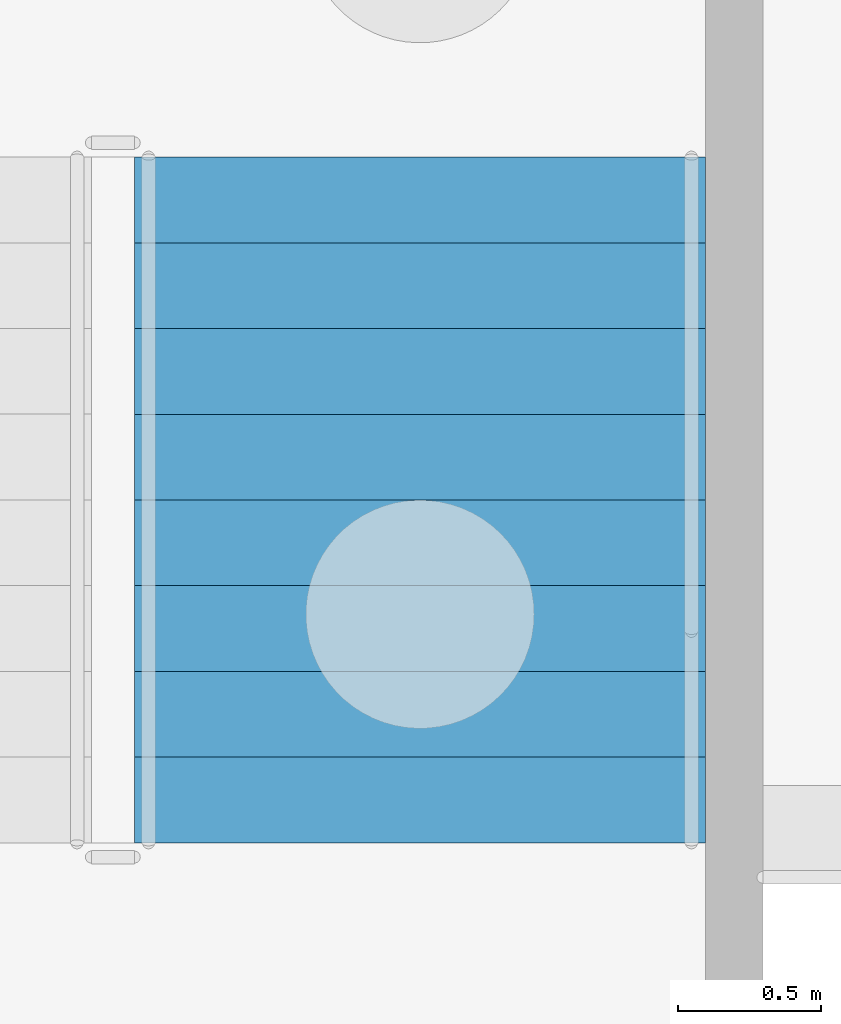
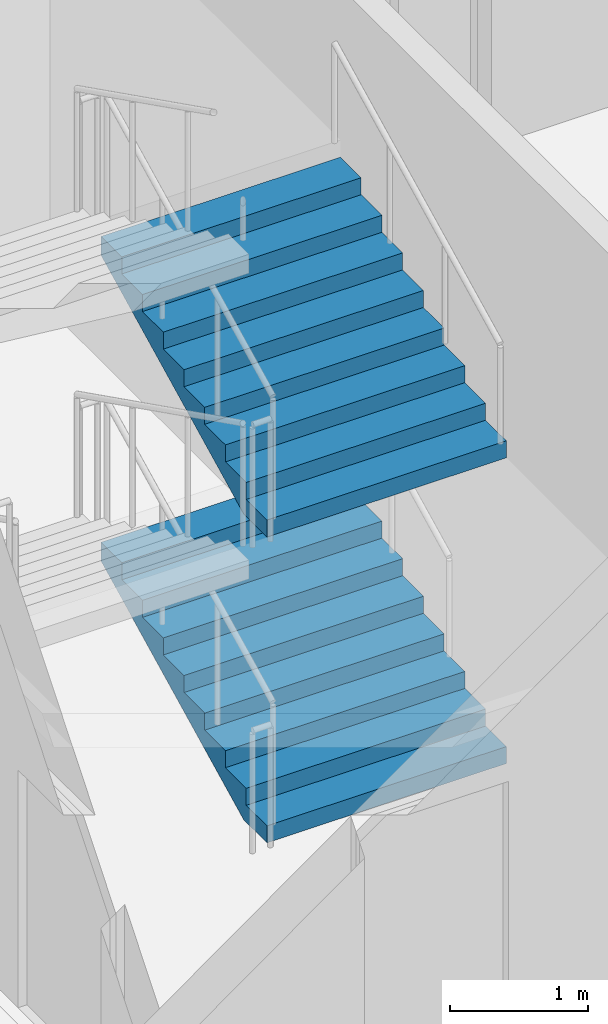
# One storey, part 71 of 129: 2 stair flights, 1 element without a shape of its own.
"""IFC4 building model written with IfcOpenShell, lengths in metres."""

import ifcopenshell
import ifcopenshell.guid

model = None  # the IFC model being written
_history = None  # IfcOwnerHistory: only IFC2X3 demands one
_inside = {}  # id of a spatial element -> (the spatial element, [elements in it])
_under = {}  # id of a project, library or spatial element -> (it, [spatial elements below it])
_declared = {}  # id of a project -> (the project, [libraries it declares])
_typed = {}  # id of a type object -> (the type object, [elements of that type])
_made_of = {}  # id of a material, layer set ... -> (it, [elements and type objects made of it])


def new_model(schema):
    """Start an empty IFC model of exactly this schema.

    Asked for "IFC4X3", IfcOpenShell would pick the latest addendum, in which some entities
    have other attributes; the version numbers below select the first issue.
    IFC2X3 requires an IfcOwnerHistory on every rooted entity: one is made here for all.
    """
    global model, _history
    if schema == "IFC4X3":
        model = ifcopenshell.file(schema_version=(4, 3, 0, 0))
    else:
        model = ifcopenshell.file(schema=schema)
    _inside.clear()
    _under.clear()
    _declared.clear()
    _typed.clear()
    _made_of.clear()
    _history = None
    if model.schema == "IFC2X3":
        org = make("IfcOrganization", Name="unknown")
        user = make(
            "IfcPersonAndOrganization",
            ThePerson=make("IfcPerson", FamilyName="unknown"),
            TheOrganization=org,
        )
        app = make(
            "IfcApplication",
            ApplicationDeveloper=org,
            Version="unknown",
            ApplicationFullName="unknown",
            ApplicationIdentifier="unknown",
        )
        _history = make(
            "IfcOwnerHistory",
            OwningUser=user,
            OwningApplication=app,
            ChangeAction="ADDED",
            CreationDate=0,
        )
    return model


def make(cls, **values):
    """One entity of the class cls with the attributes given. An attribute that is None is left unset."""
    return model.create_entity(
        cls, **{name: value for name, value in values.items() if value is not None}
    )


def rooted(cls, **values):
    """An entity with a GlobalId (a new one), such as an element, a storey or a relation."""
    return make(cls, GlobalId=ifcopenshell.guid.new(), OwnerHistory=_history, **values)


def si_unit(unit_type, name, prefix=None):
    """IfcSIUnit, for example si_unit("LENGTHUNIT", "METRE", prefix="MILLI")."""
    return make("IfcSIUnit", UnitType=unit_type, Prefix=prefix, Name=name)


def assignment(units):
    """IfcUnitAssignment: the units of a project."""
    return None if units is None else make("IfcUnitAssignment", Units=units)


def point(xyz):
    """IfcCartesianPoint."""
    return None if xyz is None else make("IfcCartesianPoint", Coordinates=xyz)


def direction(xyz):
    """IfcDirection."""
    return None if xyz is None else make("IfcDirection", DirectionRatios=xyz)


def frame(location, z_axis=None, x_axis=None):
    """IfcAxis2Placement3D, a coordinate frame: its origin and axes. An axis left out is left unset."""
    return make(
        "IfcAxis2Placement3D",
        Location=point(location),
        Axis=direction(z_axis),
        RefDirection=direction(x_axis),
    )


def origin():
    """The frame at (0, 0, 0) with its axes left unset."""
    return frame((0.0, 0.0, 0.0))


def place(relative_to, where):
    """IfcLocalPlacement: puts the frame where relative to a parent placement (None: the world)."""
    return make(
        "IfcLocalPlacement", PlacementRelTo=relative_to, RelativePlacement=where
    )


def context(
    kind, dimensions, precision=None, world=None, true_north=None, identifier=None
):
    """IfcGeometricRepresentationContext, for example the 3D "Model" context."""
    return make(
        "IfcGeometricRepresentationContext",
        ContextIdentifier=identifier,
        ContextType=kind,
        CoordinateSpaceDimension=dimensions,
        Precision=precision,
        WorldCoordinateSystem=world,
        TrueNorth=true_north,
    )


def subcontext(parent, identifier, kind, view, scale=None):
    """IfcGeometricRepresentationSubContext, for example "Body" below "Model"."""
    return make(
        "IfcGeometricRepresentationSubContext",
        ContextIdentifier=identifier,
        ContextType=kind,
        ParentContext=parent,
        TargetScale=scale,
        TargetView=view,
    )


def project(units=None, contexts=None):
    """IfcProject with its units and contexts."""
    return rooted(
        "IfcProject",
        Name="project",
        RepresentationContexts=contexts,
        UnitsInContext=assignment(units),
    )


def spatial(cls, under=None, at=None, **own):
    """A site, building, storey or space (cls), placed at a placement, below another one or the project."""
    s = rooted(cls, ObjectPlacement=at, **own)
    if under is not None:
        _under.setdefault(under.id(), (under, []))[1].append(s)
    return s


def faces_of(points, faces, orient=None, outer=None):
    """IfcFace entities. A face is a list of loops; a loop is a list of indices into points, from 0.

    orient and outer hold one flag for each loop. By default every Orientation is true, the
    first loop of a face is its IfcFaceOuterBound and the others are IfcFaceBound.
    """
    made = []
    for i, loops in enumerate(faces):
        bounds = []
        for j, loop in enumerate(loops):
            is_outer = j == 0 if outer is None else outer[i][j]
            bounds.append(
                make(
                    "IfcFaceOuterBound" if is_outer else "IfcFaceBound",
                    Bound=make("IfcPolyLoop", Polygon=[points[k] for k in loop]),
                    Orientation=True if orient is None else orient[i][j],
                )
            )
        made.append(make("IfcFace", Bounds=bounds))
    return made


def faceted_brep(points, faces, orient=None, outer=None, voids=None):
    """IfcFacetedBrep: a solid bounded by flat faces; with voids (closed shells), ...WithVoids."""
    shared = [point(p) for p in points]
    hull = make("IfcClosedShell", CfsFaces=faces_of(shared, faces, orient, outer))
    if voids is None:
        return make("IfcFacetedBrep", Outer=hull)
    return make(
        "IfcFacetedBrepWithVoids",
        Outer=hull,
        Voids=[
            make(cls, CfsFaces=faces_of(shared, fs, o, b)) for cls, fs, o, b in voids
        ],
    )


def shape(context_of_items, identifier, shape_type, items):
    """IfcShapeRepresentation: the items that make up one representation, for example the "Body"."""
    return make(
        "IfcShapeRepresentation",
        ContextOfItems=context_of_items,
        RepresentationIdentifier=identifier,
        RepresentationType=shape_type,
        Items=items,
    )


def material(Name=None, Category=None):
    """IfcMaterial."""
    return make("IfcMaterial", Name=Name, Category=Category)


def made_of(thing, what):
    """Note that an element or type object is made of a material, layer set ...; save() writes the relation."""
    if what is not None:
        _made_of.setdefault(what.id(), (what, []))[1].append(thing)
    return thing


def type_object(cls, material=None, **own):
    """A type object (cls), such as IfcWallType, which elements share."""
    return made_of(rooted(cls, **own), material)


def element(
    cls,
    number,
    at=None,
    inside=None,
    cuts=None,
    type_object=None,
    material=None,
    context=None,
    identifier="Body",
    shape_type=None,
    held_by="IfcProductDefinitionShape",
    body=None,
    shapes=None,
    **own,
):
    """One element of the class cls, such as IfcWall. Its Tag is "e" and its number.

    at: its placement. inside: the storey or other place that contains it. cuts: it is an
    opening in that element (IfcRelVoidsElement). A single representation is given by context,
    identifier, shape_type and body (its items); several are given by shapes. held_by: the class
    of the entity that holds the representations. save() writes the other relations.
    """
    e = rooted(cls, Tag="e%d" % number, ObjectPlacement=at, **own)
    if body is not None:
        shapes = [shape(context, identifier, shape_type, body)]
    if shapes is not None:
        e.Representation = make(held_by, Representations=shapes)
    if inside is not None:
        _inside.setdefault(inside.id(), (inside, []))[1].append(e)
    if cuts is not None:
        rooted(
            "IfcRelVoidsElement", RelatingBuildingElement=cuts, RelatedOpeningElement=e
        )
    if type_object is not None:
        _typed.setdefault(type_object.id(), (type_object, []))[1].append(e)
    return made_of(e, material)


def aggregate(whole, parts):
    """IfcRelAggregates: a whole, such as a stair, and the parts it consists of."""
    return rooted("IfcRelAggregates", RelatingObject=whole, RelatedObjects=parts)


def save(model, path):
    """Write the relations noted so far, then the file.

    IfcRelAggregates (storeys below a building ...), IfcRelContainedInSpatialStructure (elements
    in a storey), IfcRelDefinesByType, IfcRelAssociatesMaterial and IfcRelDeclares: one each for
    every whole, place, type object, material and project.
    """
    for whole, parts in _under.values():
        aggregate(whole, parts)
    for where, things in _inside.values():
        rooted(
            "IfcRelContainedInSpatialStructure",
            RelatedElements=things,
            RelatingStructure=where,
        )
    for kind, things in _typed.values():
        rooted("IfcRelDefinesByType", RelatedObjects=things, RelatingType=kind)
    for what, things in _made_of.values():
        rooted("IfcRelAssociatesMaterial", RelatedObjects=things, RelatingMaterial=what)
    for by, libraries in _declared.values():
        rooted("IfcRelDeclares", RelatingContext=by, RelatedDefinitions=libraries)
    model.write(path)


model = new_model("IFC4")

# Units and contexts
model_context = context("Model", 3, precision=1e-05, world=origin(), true_north=direction((0.0, 1.0)))
body_context = subcontext(model_context, "Body", "Model", "MODEL_VIEW")
ifc_project = project(units=[si_unit("LENGTHUNIT", "METRE"), si_unit("AREAUNIT", "SQUARE_METRE"), si_unit("VOLUMEUNIT", "CUBIC_METRE"), si_unit("PLANEANGLEUNIT", "RADIAN"), si_unit("MASSUNIT", "GRAM", prefix="KILO")], contexts=[model_context])

# Site, building, storey
site_placement = place(None, origin())
site = spatial("IfcSite", under=ifc_project, at=site_placement, CompositionType="ELEMENT")
building_placement = place(site_placement, origin())
building = spatial("IfcBuilding", under=site, at=building_placement, Name="Kiln Court Media Centre", CompositionType="ELEMENT")
storey_placement = place(building_placement, origin())
storey = spatial("IfcBuildingStorey", under=building, at=storey_placement, Name="L00", CompositionType="ELEMENT", Elevation=0.0)

# Stair, stair flights
ifc_material_1 = material(Name="Concrete C40/50", Category="concrete")
stair_type = type_object("IfcStairType", Name="Concrete C40/50 dog-leg stair 2000 wide, 150 riser", PredefinedType="HALF_TURN_STAIR", material=ifc_material_1)
stair_placement = place(storey_placement, origin())
stair = element("IfcStair", 1, at=stair_placement, inside=storey, type_object=stair_type, Name="ST-05 L00", PredefinedType="HALF_TURN_STAIR")
ifc_material_2 = material(Name="Concrete C40/50", Category="concrete")
stair_flight_type = type_object("IfcStairFlightType", Name="Concrete C40/50 stair flight 2000 wide, 150 riser, 300 going", PredefinedType="STRAIGHT", material=ifc_material_2)
stair_flight_1_placement = place(storey_placement, frame((57.60009765625, 18.39990234375, 0.0), z_axis=(0.0, 0.0, 1.0), x_axis=(0.0, 1.0, 0.0)))
stair_flight_1 = element("IfcStairFlight", 2, at=stair_flight_1_placement, type_object=stair_flight_type, Name="L00-ST-5004 flight 5016", NumberOfRisers=9, NumberOfTreads=8, PredefinedType="STRAIGHT", RiserHeight=0.15, TreadLength=0.3, context=body_context, shape_type="Brep", body=[
    faceted_brep([(0.335205078125, -1.0, 0.0), (2.39990234375, -1.0, 1.032470703125), (2.39990234375, -1.0, 1.199951171875), (2.10009765625, -1.0, 1.199951171875), (2.10009765625, -1.0, 1.050048828125), (1.800048828125, -1.0, 1.050048828125), (1.800048828125, -1.0, 0.89990234375), (1.5, -1.0, 0.89990234375), (1.5, -1.0, 0.75), (1.199951171875, -1.0, 0.75), (1.199951171875, -1.0, 0.60009765625), (0.89990234375, -1.0, 0.60009765625), (0.89990234375, -1.0, 0.449951171875), (0.60009765625, -1.0, 0.449951171875), (0.60009765625, -1.0, 0.300048828125), (0.300048828125, -1.0, 0.300048828125), (0.300048828125, -1.0, 0.14990234375), (0.0, -1.0, 0.14990234375), (0.0, -1.0, 0.0), (0.0, 1.0, 0.0), (0.0, 1.0, 0.14990234375), (0.300048828125, 1.0, 0.14990234375), (0.300048828125, 1.0, 0.300048828125), (0.60009765625, 1.0, 0.300048828125), (0.60009765625, 1.0, 0.449951171875), (0.89990234375, 1.0, 0.449951171875), (0.89990234375, 1.0, 0.60009765625), (1.199951171875, 1.0, 0.60009765625), (1.199951171875, 1.0, 0.75), (1.5, 1.0, 0.75), (1.5, 1.0, 0.89990234375), (1.800048828125, 1.0, 0.89990234375), (1.800048828125, 1.0, 1.050048828125), (2.10009765625, 1.0, 1.050048828125), (2.10009765625, 1.0, 1.199951171875), (2.39990234375, 1.0, 1.199951171875), (2.39990234375, 1.0, 1.032470703125), (0.335205078125, 1.0, 0.0), (2.39990234375, 0.10009765625, 1.032470703125), (0.335205078125, 0.10009765625, 0.0), (2.39990234375, 0.080078125, 1.032470703125), (0.335205078125, 0.080078125, 0.0), (2.39990234375, 0.06005859375, 1.032470703125), (0.335205078125, 0.06005859375, 0.0), (2.39990234375, 0.0400390625, 1.032470703125), (0.335205078125, 0.0400390625, 0.0), (2.39990234375, 0.02001953125, 1.032470703125), (0.335205078125, 0.02001953125, 0.0), (2.39990234375, 0.0, 1.032470703125), (0.335205078125, 0.0, 0.0), (2.39990234375, -0.02001953125, 1.032470703125), (0.335205078125, -0.02001953125, 0.0), (2.39990234375, -0.0400390625, 1.032470703125), (0.335205078125, -0.0400390625, 0.0), (2.39990234375, -0.06005859375, 1.032470703125), (0.335205078125, -0.06005859375, 0.0), (2.39990234375, -0.080078125, 1.032470703125), (0.335205078125, -0.080078125, 0.0), (2.39990234375, -0.10009765625, 1.032470703125), (0.335205078125, -0.10009765625, 0.0), (2.39990234375, 0.10009765625, 1.199951171875), (2.39990234375, 0.080078125, 1.199951171875), (2.39990234375, 0.06005859375, 1.199951171875), (2.39990234375, 0.0400390625, 1.199951171875), (2.39990234375, 0.02001953125, 1.199951171875), (2.39990234375, 0.0, 1.199951171875), (2.39990234375, -0.02001953125, 1.199951171875), (2.39990234375, -0.0400390625, 1.199951171875), (2.39990234375, -0.06005859375, 1.199951171875), (2.39990234375, -0.080078125, 1.199951171875), (2.39990234375, -0.10009765625, 1.199951171875), (2.10009765625, 0.10009765625, 1.199951171875), (2.10009765625, 0.080078125, 1.199951171875), (2.10009765625, 0.06005859375, 1.199951171875), (2.10009765625, 0.0400390625, 1.199951171875), (2.10009765625, 0.02001953125, 1.199951171875), (2.10009765625, 0.0, 1.199951171875), (2.10009765625, -0.02001953125, 1.199951171875), (2.10009765625, -0.0400390625, 1.199951171875), (2.10009765625, -0.06005859375, 1.199951171875), (2.10009765625, -0.080078125, 1.199951171875), (2.10009765625, -0.10009765625, 1.199951171875), (2.10009765625, 0.10009765625, 1.050048828125), (2.10009765625, 0.080078125, 1.050048828125), (2.10009765625, 0.06005859375, 1.050048828125), (2.10009765625, 0.0400390625, 1.050048828125), (2.10009765625, 0.02001953125, 1.050048828125), (2.10009765625, 0.0, 1.050048828125), (2.10009765625, -0.02001953125, 1.050048828125), (2.10009765625, -0.0400390625, 1.050048828125), (2.10009765625, -0.06005859375, 1.050048828125), (2.10009765625, -0.080078125, 1.050048828125), (2.10009765625, -0.10009765625, 1.050048828125), (1.800048828125, 0.10009765625, 1.050048828125), (1.800048828125, 0.080078125, 1.050048828125), (1.800048828125, 0.06005859375, 1.050048828125), (1.800048828125, 0.0400390625, 1.050048828125), (1.800048828125, 0.02001953125, 1.050048828125), (1.800048828125, 0.0, 1.050048828125), (1.800048828125, -0.02001953125, 1.050048828125), (1.800048828125, -0.0400390625, 1.050048828125), (1.800048828125, -0.06005859375, 1.050048828125), (1.800048828125, -0.080078125, 1.050048828125), (1.800048828125, -0.10009765625, 1.050048828125), (1.800048828125, 0.10009765625, 0.89990234375), (1.800048828125, 0.080078125, 0.89990234375), (1.800048828125, 0.06005859375, 0.89990234375), (1.800048828125, 0.0400390625, 0.89990234375), (1.800048828125, 0.02001953125, 0.89990234375), (1.800048828125, 0.0, 0.89990234375), (1.800048828125, -0.02001953125, 0.89990234375), (1.800048828125, -0.0400390625, 0.89990234375), (1.800048828125, -0.06005859375, 0.89990234375), (1.800048828125, -0.080078125, 0.89990234375), (1.800048828125, -0.10009765625, 0.89990234375), (1.5, 0.10009765625, 0.89990234375), (1.5, 0.080078125, 0.89990234375), (1.5, 0.06005859375, 0.89990234375), (1.5, 0.0400390625, 0.89990234375), (1.5, 0.02001953125, 0.89990234375), (1.5, 0.0, 0.89990234375), (1.5, -0.02001953125, 0.89990234375), (1.5, -0.0400390625, 0.89990234375), (1.5, -0.06005859375, 0.89990234375), (1.5, -0.080078125, 0.89990234375), (1.5, -0.10009765625, 0.89990234375), (1.5, 0.10009765625, 0.75), (1.5, 0.080078125, 0.75), (1.5, 0.06005859375, 0.75), (1.5, 0.0400390625, 0.75), (1.5, 0.02001953125, 0.75), (1.5, 0.0, 0.75), (1.5, -0.02001953125, 0.75), (1.5, -0.0400390625, 0.75), (1.5, -0.06005859375, 0.75), (1.5, -0.080078125, 0.75), (1.5, -0.10009765625, 0.75), (1.199951171875, 0.10009765625, 0.75), (1.199951171875, 0.080078125, 0.75), (1.199951171875, 0.06005859375, 0.75), (1.199951171875, 0.0400390625, 0.75), (1.199951171875, 0.02001953125, 0.75), (1.199951171875, 0.0, 0.75), (1.199951171875, -0.02001953125, 0.75), (1.199951171875, -0.0400390625, 0.75), (1.199951171875, -0.06005859375, 0.75), (1.199951171875, -0.080078125, 0.75), (1.199951171875, -0.10009765625, 0.75), (1.199951171875, 0.10009765625, 0.60009765625), (1.199951171875, 0.080078125, 0.60009765625), (1.199951171875, 0.06005859375, 0.60009765625), (1.199951171875, 0.0400390625, 0.60009765625), (1.199951171875, 0.02001953125, 0.60009765625), (1.199951171875, 0.0, 0.60009765625), (1.199951171875, -0.02001953125, 0.60009765625), (1.199951171875, -0.0400390625, 0.60009765625), (1.199951171875, -0.06005859375, 0.60009765625), (1.199951171875, -0.080078125, 0.60009765625), (1.199951171875, -0.10009765625, 0.60009765625), (0.89990234375, 0.10009765625, 0.60009765625), (0.89990234375, 0.080078125, 0.60009765625), (0.89990234375, 0.06005859375, 0.60009765625), (0.89990234375, 0.0400390625, 0.60009765625), (0.89990234375, 0.02001953125, 0.60009765625), (0.89990234375, 0.0, 0.60009765625), (0.89990234375, -0.02001953125, 0.60009765625), (0.89990234375, -0.0400390625, 0.60009765625), (0.89990234375, -0.06005859375, 0.60009765625), (0.89990234375, -0.080078125, 0.60009765625), (0.89990234375, -0.10009765625, 0.60009765625), (0.89990234375, 0.10009765625, 0.449951171875), (0.89990234375, 0.080078125, 0.449951171875), (0.89990234375, 0.06005859375, 0.449951171875), (0.89990234375, 0.0400390625, 0.449951171875), (0.89990234375, 0.02001953125, 0.449951171875), (0.89990234375, 0.0, 0.449951171875), (0.89990234375, -0.02001953125, 0.449951171875), (0.89990234375, -0.0400390625, 0.449951171875), (0.89990234375, -0.06005859375, 0.449951171875), (0.89990234375, -0.080078125, 0.449951171875), (0.89990234375, -0.10009765625, 0.449951171875), (0.60009765625, 0.10009765625, 0.449951171875), (0.60009765625, 0.080078125, 0.449951171875), (0.60009765625, 0.06005859375, 0.449951171875), (0.60009765625, 0.0400390625, 0.449951171875), (0.60009765625, 0.02001953125, 0.449951171875), (0.60009765625, 0.0, 0.449951171875), (0.60009765625, -0.02001953125, 0.449951171875), (0.60009765625, -0.0400390625, 0.449951171875), (0.60009765625, -0.06005859375, 0.449951171875), (0.60009765625, -0.080078125, 0.449951171875), (0.60009765625, -0.10009765625, 0.449951171875), (0.60009765625, 0.10009765625, 0.300048828125), (0.60009765625, 0.080078125, 0.300048828125), (0.60009765625, 0.06005859375, 0.300048828125), (0.60009765625, 0.0400390625, 0.300048828125), (0.60009765625, 0.02001953125, 0.300048828125), (0.60009765625, 0.0, 0.300048828125), (0.60009765625, -0.02001953125, 0.300048828125), (0.60009765625, -0.0400390625, 0.300048828125), (0.60009765625, -0.06005859375, 0.300048828125), (0.60009765625, -0.080078125, 0.300048828125), (0.60009765625, -0.10009765625, 0.300048828125), (0.300048828125, 0.10009765625, 0.300048828125), (0.300048828125, 0.080078125, 0.300048828125), (0.300048828125, 0.06005859375, 0.300048828125), (0.300048828125, 0.0400390625, 0.300048828125), (0.300048828125, 0.02001953125, 0.300048828125), (0.300048828125, 0.0, 0.300048828125), (0.300048828125, -0.02001953125, 0.300048828125), (0.300048828125, -0.0400390625, 0.300048828125), (0.300048828125, -0.06005859375, 0.300048828125), (0.300048828125, -0.080078125, 0.300048828125), (0.300048828125, -0.10009765625, 0.300048828125), (0.300048828125, 0.10009765625, 0.14990234375), (0.300048828125, 0.080078125, 0.14990234375), (0.300048828125, 0.06005859375, 0.14990234375), (0.300048828125, 0.0400390625, 0.14990234375), (0.300048828125, 0.02001953125, 0.14990234375), (0.300048828125, 0.0, 0.14990234375), (0.300048828125, -0.02001953125, 0.14990234375), (0.300048828125, -0.0400390625, 0.14990234375), (0.300048828125, -0.06005859375, 0.14990234375), (0.300048828125, -0.080078125, 0.14990234375), (0.300048828125, -0.10009765625, 0.14990234375), (0.0, 0.10009765625, 0.14990234375), (0.0, 0.080078125, 0.14990234375), (0.0, 0.06005859375, 0.14990234375), (0.0, 0.0400390625, 0.14990234375), (0.0, 0.02001953125, 0.14990234375), (0.0, 0.0, 0.14990234375), (0.0, -0.02001953125, 0.14990234375), (0.0, -0.0400390625, 0.14990234375), (0.0, -0.06005859375, 0.14990234375), (0.0, -0.080078125, 0.14990234375), (0.0, -0.10009765625, 0.14990234375), (0.0, 0.10009765625, 0.0), (0.0, 0.080078125, 0.0), (0.0, 0.06005859375, 0.0), (0.0, 0.0400390625, 0.0), (0.0, 0.02001953125, 0.0), (0.0, 0.0, 0.0), (0.0, -0.02001953125, 0.0), (0.0, -0.0400390625, 0.0), (0.0, -0.06005859375, 0.0), (0.0, -0.080078125, 0.0), (0.0, -0.10009765625, 0.0)], [[[0, 1, 2, 3, 4, 5, 6, 7, 8, 9, 10, 11, 12, 13, 14, 15, 16, 17, 18]], [[19, 20, 21, 22, 23, 24, 25, 26, 27, 28, 29, 30, 31, 32, 33, 34, 35, 36, 37]], [[37, 36, 38, 39]], [[39, 38, 40, 41]], [[41, 40, 42, 43]], [[43, 42, 44, 45]], [[45, 44, 46, 47]], [[47, 46, 48, 49]], [[49, 48, 50, 51]], [[51, 50, 52, 53]], [[53, 52, 54, 55]], [[55, 54, 56, 57]], [[57, 56, 58, 59]], [[59, 58, 1, 0]], [[36, 35, 60, 38]], [[38, 60, 61, 40]], [[40, 61, 62, 42]], [[42, 62, 63, 44]], [[44, 63, 64, 46]], [[46, 64, 65, 48]], [[48, 65, 66, 50]], [[50, 66, 67, 52]], [[52, 67, 68, 54]], [[54, 68, 69, 56]], [[56, 69, 70, 58]], [[58, 70, 2, 1]], [[35, 34, 71, 60]], [[60, 71, 72, 61]], [[61, 72, 73, 62]], [[62, 73, 74, 63]], [[63, 74, 75, 64]], [[64, 75, 76, 65]], [[65, 76, 77, 66]], [[66, 77, 78, 67]], [[67, 78, 79, 68]], [[68, 79, 80, 69]], [[69, 80, 81, 70]], [[70, 81, 3, 2]], [[34, 33, 82, 71]], [[71, 82, 83, 72]], [[72, 83, 84, 73]], [[73, 84, 85, 74]], [[74, 85, 86, 75]], [[75, 86, 87, 76]], [[76, 87, 88, 77]], [[77, 88, 89, 78]], [[78, 89, 90, 79]], [[79, 90, 91, 80]], [[80, 91, 92, 81]], [[81, 92, 4, 3]], [[33, 32, 93, 82]], [[82, 93, 94, 83]], [[83, 94, 95, 84]], [[84, 95, 96, 85]], [[85, 96, 97, 86]], [[86, 97, 98, 87]], [[87, 98, 99, 88]], [[88, 99, 100, 89]], [[89, 100, 101, 90]], [[90, 101, 102, 91]], [[91, 102, 103, 92]], [[92, 103, 5, 4]], [[32, 31, 104, 93]], [[93, 104, 105, 94]], [[94, 105, 106, 95]], [[95, 106, 107, 96]], [[96, 107, 108, 97]], [[97, 108, 109, 98]], [[98, 109, 110, 99]], [[99, 110, 111, 100]], [[100, 111, 112, 101]], [[101, 112, 113, 102]], [[102, 113, 114, 103]], [[103, 114, 6, 5]], [[31, 30, 115, 104]], [[104, 115, 116, 105]], [[105, 116, 117, 106]], [[106, 117, 118, 107]], [[107, 118, 119, 108]], [[108, 119, 120, 109]], [[109, 120, 121, 110]], [[110, 121, 122, 111]], [[111, 122, 123, 112]], [[112, 123, 124, 113]], [[113, 124, 125, 114]], [[114, 125, 7, 6]], [[30, 29, 126, 115]], [[115, 126, 127, 116]], [[116, 127, 128, 117]], [[117, 128, 129, 118]], [[118, 129, 130, 119]], [[119, 130, 131, 120]], [[120, 131, 132, 121]], [[121, 132, 133, 122]], [[122, 133, 134, 123]], [[123, 134, 135, 124]], [[124, 135, 136, 125]], [[125, 136, 8, 7]], [[29, 28, 137, 126]], [[126, 137, 138, 127]], [[127, 138, 139, 128]], [[128, 139, 140, 129]], [[129, 140, 141, 130]], [[130, 141, 142, 131]], [[131, 142, 143, 132]], [[132, 143, 144, 133]], [[133, 144, 145, 134]], [[134, 145, 146, 135]], [[135, 146, 147, 136]], [[136, 147, 9, 8]], [[28, 27, 148, 137]], [[137, 148, 149, 138]], [[138, 149, 150, 139]], [[139, 150, 151, 140]], [[140, 151, 152, 141]], [[141, 152, 153, 142]], [[142, 153, 154, 143]], [[143, 154, 155, 144]], [[144, 155, 156, 145]], [[145, 156, 157, 146]], [[146, 157, 158, 147]], [[147, 158, 10, 9]], [[27, 26, 159, 148]], [[148, 159, 160, 149]], [[149, 160, 161, 150]], [[150, 161, 162, 151]], [[151, 162, 163, 152]], [[152, 163, 164, 153]], [[153, 164, 165, 154]], [[154, 165, 166, 155]], [[155, 166, 167, 156]], [[156, 167, 168, 157]], [[157, 168, 169, 158]], [[158, 169, 11, 10]], [[26, 25, 170, 159]], [[159, 170, 171, 160]], [[160, 171, 172, 161]], [[161, 172, 173, 162]], [[162, 173, 174, 163]], [[163, 174, 175, 164]], [[164, 175, 176, 165]], [[165, 176, 177, 166]], [[166, 177, 178, 167]], [[167, 178, 179, 168]], [[168, 179, 180, 169]], [[169, 180, 12, 11]], [[25, 24, 181, 170]], [[170, 181, 182, 171]], [[171, 182, 183, 172]], [[172, 183, 184, 173]], [[173, 184, 185, 174]], [[174, 185, 186, 175]], [[175, 186, 187, 176]], [[176, 187, 188, 177]], [[177, 188, 189, 178]], [[178, 189, 190, 179]], [[179, 190, 191, 180]], [[180, 191, 13, 12]], [[24, 23, 192, 181]], [[181, 192, 193, 182]], [[182, 193, 194, 183]], [[183, 194, 195, 184]], [[184, 195, 196, 185]], [[185, 196, 197, 186]], [[186, 197, 198, 187]], [[187, 198, 199, 188]], [[188, 199, 200, 189]], [[189, 200, 201, 190]], [[190, 201, 202, 191]], [[191, 202, 14, 13]], [[23, 22, 203, 192]], [[192, 203, 204, 193]], [[193, 204, 205, 194]], [[194, 205, 206, 195]], [[195, 206, 207, 196]], [[196, 207, 208, 197]], [[197, 208, 209, 198]], [[198, 209, 210, 199]], [[199, 210, 211, 200]], [[200, 211, 212, 201]], [[201, 212, 213, 202]], [[202, 213, 15, 14]], [[22, 21, 214, 203]], [[203, 214, 215, 204]], [[204, 215, 216, 205]], [[205, 216, 217, 206]], [[206, 217, 218, 207]], [[207, 218, 219, 208]], [[208, 219, 220, 209]], [[209, 220, 221, 210]], [[210, 221, 222, 211]], [[211, 222, 223, 212]], [[212, 223, 224, 213]], [[213, 224, 16, 15]], [[21, 20, 225, 214]], [[214, 225, 226, 215]], [[215, 226, 227, 216]], [[216, 227, 228, 217]], [[217, 228, 229, 218]], [[218, 229, 230, 219]], [[219, 230, 231, 220]], [[220, 231, 232, 221]], [[221, 232, 233, 222]], [[222, 233, 234, 223]], [[223, 234, 235, 224]], [[224, 235, 17, 16]], [[20, 19, 236, 225]], [[225, 236, 237, 226]], [[226, 237, 238, 227]], [[227, 238, 239, 228]], [[228, 239, 240, 229]], [[229, 240, 241, 230]], [[230, 241, 242, 231]], [[231, 242, 243, 232]], [[232, 243, 244, 233]], [[233, 244, 245, 234]], [[234, 245, 246, 235]], [[235, 246, 18, 17]], [[19, 37, 39, 236]], [[236, 39, 41, 237]], [[237, 41, 43, 238]], [[238, 43, 45, 239]], [[239, 45, 47, 240]], [[240, 47, 49, 241]], [[241, 49, 51, 242]], [[242, 51, 53, 243]], [[243, 53, 55, 244]], [[244, 55, 57, 245]], [[245, 57, 59, 246]], [[246, 59, 0, 18]]]),
])
stair_flight_2_placement = place(storey_placement, frame((57.60009765625, 18.39990234375, 2.699951171875), z_axis=(0.0, 0.0, 1.0), x_axis=(0.0, 1.0, 0.0)))
stair_flight_2 = element("IfcStairFlight", 3, at=stair_flight_2_placement, type_object=stair_flight_type, Name="L00-ST-5004 flight 5018", NumberOfRisers=9, NumberOfTreads=8, PredefinedType="STRAIGHT", RiserHeight=0.15, TreadLength=0.3, context=body_context, shape_type="Brep", body=[
    faceted_brep([(0.335205078125, -1.0, 0.0), (2.39990234375, -1.0, 1.032470703125), (2.39990234375, -1.0, 1.199951171875), (2.10009765625, -1.0, 1.199951171875), (2.10009765625, -1.0, 1.050048828125), (1.800048828125, -1.0, 1.050048828125), (1.800048828125, -1.0, 0.89990234375), (1.5, -1.0, 0.89990234375), (1.5, -1.0, 0.75), (1.199951171875, -1.0, 0.75), (1.199951171875, -1.0, 0.60009765625), (0.89990234375, -1.0, 0.60009765625), (0.89990234375, -1.0, 0.449951171875), (0.60009765625, -1.0, 0.449951171875), (0.60009765625, -1.0, 0.300048828125), (0.300048828125, -1.0, 0.300048828125), (0.300048828125, -1.0, 0.14990234375), (0.0, -1.0, 0.14990234375), (0.0, -1.0, 0.0), (0.0, 1.0, 0.0), (0.0, 1.0, 0.14990234375), (0.300048828125, 1.0, 0.14990234375), (0.300048828125, 1.0, 0.300048828125), (0.60009765625, 1.0, 0.300048828125), (0.60009765625, 1.0, 0.449951171875), (0.89990234375, 1.0, 0.449951171875), (0.89990234375, 1.0, 0.60009765625), (1.199951171875, 1.0, 0.60009765625), (1.199951171875, 1.0, 0.75), (1.5, 1.0, 0.75), (1.5, 1.0, 0.89990234375), (1.800048828125, 1.0, 0.89990234375), (1.800048828125, 1.0, 1.050048828125), (2.10009765625, 1.0, 1.050048828125), (2.10009765625, 1.0, 1.199951171875), (2.39990234375, 1.0, 1.199951171875), (2.39990234375, 1.0, 1.032470703125), (0.335205078125, 1.0, 0.0), (2.39990234375, 0.10009765625, 1.032470703125), (0.335205078125, 0.10009765625, 0.0), (2.39990234375, 0.080078125, 1.032470703125), (0.335205078125, 0.080078125, 0.0), (2.39990234375, 0.06005859375, 1.032470703125), (0.335205078125, 0.06005859375, 0.0), (2.39990234375, 0.0400390625, 1.032470703125), (0.335205078125, 0.0400390625, 0.0), (2.39990234375, 0.02001953125, 1.032470703125), (0.335205078125, 0.02001953125, 0.0), (2.39990234375, 0.0, 1.032470703125), (0.335205078125, 0.0, 0.0), (2.39990234375, -0.02001953125, 1.032470703125), (0.335205078125, -0.02001953125, 0.0), (2.39990234375, -0.0400390625, 1.032470703125), (0.335205078125, -0.0400390625, 0.0), (2.39990234375, -0.06005859375, 1.032470703125), (0.335205078125, -0.06005859375, 0.0), (2.39990234375, -0.080078125, 1.032470703125), (0.335205078125, -0.080078125, 0.0), (2.39990234375, -0.10009765625, 1.032470703125), (0.335205078125, -0.10009765625, 0.0), (2.39990234375, 0.10009765625, 1.199951171875), (2.39990234375, 0.080078125, 1.199951171875), (2.39990234375, 0.06005859375, 1.199951171875), (2.39990234375, 0.0400390625, 1.199951171875), (2.39990234375, 0.02001953125, 1.199951171875), (2.39990234375, 0.0, 1.199951171875), (2.39990234375, -0.02001953125, 1.199951171875), (2.39990234375, -0.0400390625, 1.199951171875), (2.39990234375, -0.06005859375, 1.199951171875), (2.39990234375, -0.080078125, 1.199951171875), (2.39990234375, -0.10009765625, 1.199951171875), (2.10009765625, 0.10009765625, 1.199951171875), (2.10009765625, 0.080078125, 1.199951171875), (2.10009765625, 0.06005859375, 1.199951171875), (2.10009765625, 0.0400390625, 1.199951171875), (2.10009765625, 0.02001953125, 1.199951171875), (2.10009765625, 0.0, 1.199951171875), (2.10009765625, -0.02001953125, 1.199951171875), (2.10009765625, -0.0400390625, 1.199951171875), (2.10009765625, -0.06005859375, 1.199951171875), (2.10009765625, -0.080078125, 1.199951171875), (2.10009765625, -0.10009765625, 1.199951171875), (2.10009765625, 0.10009765625, 1.050048828125), (2.10009765625, 0.080078125, 1.050048828125), (2.10009765625, 0.06005859375, 1.050048828125), (2.10009765625, 0.0400390625, 1.050048828125), (2.10009765625, 0.02001953125, 1.050048828125), (2.10009765625, 0.0, 1.050048828125), (2.10009765625, -0.02001953125, 1.050048828125), (2.10009765625, -0.0400390625, 1.050048828125), (2.10009765625, -0.06005859375, 1.050048828125), (2.10009765625, -0.080078125, 1.050048828125), (2.10009765625, -0.10009765625, 1.050048828125), (1.800048828125, 0.10009765625, 1.050048828125), (1.800048828125, 0.080078125, 1.050048828125), (1.800048828125, 0.06005859375, 1.050048828125), (1.800048828125, 0.0400390625, 1.050048828125), (1.800048828125, 0.02001953125, 1.050048828125), (1.800048828125, 0.0, 1.050048828125), (1.800048828125, -0.02001953125, 1.050048828125), (1.800048828125, -0.0400390625, 1.050048828125), (1.800048828125, -0.06005859375, 1.050048828125), (1.800048828125, -0.080078125, 1.050048828125), (1.800048828125, -0.10009765625, 1.050048828125), (1.800048828125, 0.10009765625, 0.89990234375), (1.800048828125, 0.080078125, 0.89990234375), (1.800048828125, 0.06005859375, 0.89990234375), (1.800048828125, 0.0400390625, 0.89990234375), (1.800048828125, 0.02001953125, 0.89990234375), (1.800048828125, 0.0, 0.89990234375), (1.800048828125, -0.02001953125, 0.89990234375), (1.800048828125, -0.0400390625, 0.89990234375), (1.800048828125, -0.06005859375, 0.89990234375), (1.800048828125, -0.080078125, 0.89990234375), (1.800048828125, -0.10009765625, 0.89990234375), (1.5, 0.10009765625, 0.89990234375), (1.5, 0.080078125, 0.89990234375), (1.5, 0.06005859375, 0.89990234375), (1.5, 0.0400390625, 0.89990234375), (1.5, 0.02001953125, 0.89990234375), (1.5, 0.0, 0.89990234375), (1.5, -0.02001953125, 0.89990234375), (1.5, -0.0400390625, 0.89990234375), (1.5, -0.06005859375, 0.89990234375), (1.5, -0.080078125, 0.89990234375), (1.5, -0.10009765625, 0.89990234375), (1.5, 0.10009765625, 0.75), (1.5, 0.080078125, 0.75), (1.5, 0.06005859375, 0.75), (1.5, 0.0400390625, 0.75), (1.5, 0.02001953125, 0.75), (1.5, 0.0, 0.75), (1.5, -0.02001953125, 0.75), (1.5, -0.0400390625, 0.75), (1.5, -0.06005859375, 0.75), (1.5, -0.080078125, 0.75), (1.5, -0.10009765625, 0.75), (1.199951171875, 0.10009765625, 0.75), (1.199951171875, 0.080078125, 0.75), (1.199951171875, 0.06005859375, 0.75), (1.199951171875, 0.0400390625, 0.75), (1.199951171875, 0.02001953125, 0.75), (1.199951171875, 0.0, 0.75), (1.199951171875, -0.02001953125, 0.75), (1.199951171875, -0.0400390625, 0.75), (1.199951171875, -0.06005859375, 0.75), (1.199951171875, -0.080078125, 0.75), (1.199951171875, -0.10009765625, 0.75), (1.199951171875, 0.10009765625, 0.60009765625), (1.199951171875, 0.080078125, 0.60009765625), (1.199951171875, 0.06005859375, 0.60009765625), (1.199951171875, 0.0400390625, 0.60009765625), (1.199951171875, 0.02001953125, 0.60009765625), (1.199951171875, 0.0, 0.60009765625), (1.199951171875, -0.02001953125, 0.60009765625), (1.199951171875, -0.0400390625, 0.60009765625), (1.199951171875, -0.06005859375, 0.60009765625), (1.199951171875, -0.080078125, 0.60009765625), (1.199951171875, -0.10009765625, 0.60009765625), (0.89990234375, 0.10009765625, 0.60009765625), (0.89990234375, 0.080078125, 0.60009765625), (0.89990234375, 0.06005859375, 0.60009765625), (0.89990234375, 0.0400390625, 0.60009765625), (0.89990234375, 0.02001953125, 0.60009765625), (0.89990234375, 0.0, 0.60009765625), (0.89990234375, -0.02001953125, 0.60009765625), (0.89990234375, -0.0400390625, 0.60009765625), (0.89990234375, -0.06005859375, 0.60009765625), (0.89990234375, -0.080078125, 0.60009765625), (0.89990234375, -0.10009765625, 0.60009765625), (0.89990234375, 0.10009765625, 0.449951171875), (0.89990234375, 0.080078125, 0.449951171875), (0.89990234375, 0.06005859375, 0.449951171875), (0.89990234375, 0.0400390625, 0.449951171875), (0.89990234375, 0.02001953125, 0.449951171875), (0.89990234375, 0.0, 0.449951171875), (0.89990234375, -0.02001953125, 0.449951171875), (0.89990234375, -0.0400390625, 0.449951171875), (0.89990234375, -0.06005859375, 0.449951171875), (0.89990234375, -0.080078125, 0.449951171875), (0.89990234375, -0.10009765625, 0.449951171875), (0.60009765625, 0.10009765625, 0.449951171875), (0.60009765625, 0.080078125, 0.449951171875), (0.60009765625, 0.06005859375, 0.449951171875), (0.60009765625, 0.0400390625, 0.449951171875), (0.60009765625, 0.02001953125, 0.449951171875), (0.60009765625, 0.0, 0.449951171875), (0.60009765625, -0.02001953125, 0.449951171875), (0.60009765625, -0.0400390625, 0.449951171875), (0.60009765625, -0.06005859375, 0.449951171875), (0.60009765625, -0.080078125, 0.449951171875), (0.60009765625, -0.10009765625, 0.449951171875), (0.60009765625, 0.10009765625, 0.300048828125), (0.60009765625, 0.080078125, 0.300048828125), (0.60009765625, 0.06005859375, 0.300048828125), (0.60009765625, 0.0400390625, 0.300048828125), (0.60009765625, 0.02001953125, 0.300048828125), (0.60009765625, 0.0, 0.300048828125), (0.60009765625, -0.02001953125, 0.300048828125), (0.60009765625, -0.0400390625, 0.300048828125), (0.60009765625, -0.06005859375, 0.300048828125), (0.60009765625, -0.080078125, 0.300048828125), (0.60009765625, -0.10009765625, 0.300048828125), (0.300048828125, 0.10009765625, 0.300048828125), (0.300048828125, 0.080078125, 0.300048828125), (0.300048828125, 0.06005859375, 0.300048828125), (0.300048828125, 0.0400390625, 0.300048828125), (0.300048828125, 0.02001953125, 0.300048828125), (0.300048828125, 0.0, 0.300048828125), (0.300048828125, -0.02001953125, 0.300048828125), (0.300048828125, -0.0400390625, 0.300048828125), (0.300048828125, -0.06005859375, 0.300048828125), (0.300048828125, -0.080078125, 0.300048828125), (0.300048828125, -0.10009765625, 0.300048828125), (0.300048828125, 0.10009765625, 0.14990234375), (0.300048828125, 0.080078125, 0.14990234375), (0.300048828125, 0.06005859375, 0.14990234375), (0.300048828125, 0.0400390625, 0.14990234375), (0.300048828125, 0.02001953125, 0.14990234375), (0.300048828125, 0.0, 0.14990234375), (0.300048828125, -0.02001953125, 0.14990234375), (0.300048828125, -0.0400390625, 0.14990234375), (0.300048828125, -0.06005859375, 0.14990234375), (0.300048828125, -0.080078125, 0.14990234375), (0.300048828125, -0.10009765625, 0.14990234375), (0.0, 0.10009765625, 0.14990234375), (0.0, 0.080078125, 0.14990234375), (0.0, 0.06005859375, 0.14990234375), (0.0, 0.0400390625, 0.14990234375), (0.0, 0.02001953125, 0.14990234375), (0.0, 0.0, 0.14990234375), (0.0, -0.02001953125, 0.14990234375), (0.0, -0.0400390625, 0.14990234375), (0.0, -0.06005859375, 0.14990234375), (0.0, -0.080078125, 0.14990234375), (0.0, -0.10009765625, 0.14990234375), (0.0, 0.10009765625, 0.0), (0.0, 0.080078125, 0.0), (0.0, 0.06005859375, 0.0), (0.0, 0.0400390625, 0.0), (0.0, 0.02001953125, 0.0), (0.0, 0.0, 0.0), (0.0, -0.02001953125, 0.0), (0.0, -0.0400390625, 0.0), (0.0, -0.06005859375, 0.0), (0.0, -0.080078125, 0.0), (0.0, -0.10009765625, 0.0)], [[[0, 1, 2, 3, 4, 5, 6, 7, 8, 9, 10, 11, 12, 13, 14, 15, 16, 17, 18]], [[19, 20, 21, 22, 23, 24, 25, 26, 27, 28, 29, 30, 31, 32, 33, 34, 35, 36, 37]], [[37, 36, 38, 39]], [[39, 38, 40, 41]], [[41, 40, 42, 43]], [[43, 42, 44, 45]], [[45, 44, 46, 47]], [[47, 46, 48, 49]], [[49, 48, 50, 51]], [[51, 50, 52, 53]], [[53, 52, 54, 55]], [[55, 54, 56, 57]], [[57, 56, 58, 59]], [[59, 58, 1, 0]], [[36, 35, 60, 38]], [[38, 60, 61, 40]], [[40, 61, 62, 42]], [[42, 62, 63, 44]], [[44, 63, 64, 46]], [[46, 64, 65, 48]], [[48, 65, 66, 50]], [[50, 66, 67, 52]], [[52, 67, 68, 54]], [[54, 68, 69, 56]], [[56, 69, 70, 58]], [[58, 70, 2, 1]], [[35, 34, 71, 60]], [[60, 71, 72, 61]], [[61, 72, 73, 62]], [[62, 73, 74, 63]], [[63, 74, 75, 64]], [[64, 75, 76, 65]], [[65, 76, 77, 66]], [[66, 77, 78, 67]], [[67, 78, 79, 68]], [[68, 79, 80, 69]], [[69, 80, 81, 70]], [[70, 81, 3, 2]], [[34, 33, 82, 71]], [[71, 82, 83, 72]], [[72, 83, 84, 73]], [[73, 84, 85, 74]], [[74, 85, 86, 75]], [[75, 86, 87, 76]], [[76, 87, 88, 77]], [[77, 88, 89, 78]], [[78, 89, 90, 79]], [[79, 90, 91, 80]], [[80, 91, 92, 81]], [[81, 92, 4, 3]], [[33, 32, 93, 82]], [[82, 93, 94, 83]], [[83, 94, 95, 84]], [[84, 95, 96, 85]], [[85, 96, 97, 86]], [[86, 97, 98, 87]], [[87, 98, 99, 88]], [[88, 99, 100, 89]], [[89, 100, 101, 90]], [[90, 101, 102, 91]], [[91, 102, 103, 92]], [[92, 103, 5, 4]], [[32, 31, 104, 93]], [[93, 104, 105, 94]], [[94, 105, 106, 95]], [[95, 106, 107, 96]], [[96, 107, 108, 97]], [[97, 108, 109, 98]], [[98, 109, 110, 99]], [[99, 110, 111, 100]], [[100, 111, 112, 101]], [[101, 112, 113, 102]], [[102, 113, 114, 103]], [[103, 114, 6, 5]], [[31, 30, 115, 104]], [[104, 115, 116, 105]], [[105, 116, 117, 106]], [[106, 117, 118, 107]], [[107, 118, 119, 108]], [[108, 119, 120, 109]], [[109, 120, 121, 110]], [[110, 121, 122, 111]], [[111, 122, 123, 112]], [[112, 123, 124, 113]], [[113, 124, 125, 114]], [[114, 125, 7, 6]], [[30, 29, 126, 115]], [[115, 126, 127, 116]], [[116, 127, 128, 117]], [[117, 128, 129, 118]], [[118, 129, 130, 119]], [[119, 130, 131, 120]], [[120, 131, 132, 121]], [[121, 132, 133, 122]], [[122, 133, 134, 123]], [[123, 134, 135, 124]], [[124, 135, 136, 125]], [[125, 136, 8, 7]], [[29, 28, 137, 126]], [[126, 137, 138, 127]], [[127, 138, 139, 128]], [[128, 139, 140, 129]], [[129, 140, 141, 130]], [[130, 141, 142, 131]], [[131, 142, 143, 132]], [[132, 143, 144, 133]], [[133, 144, 145, 134]], [[134, 145, 146, 135]], [[135, 146, 147, 136]], [[136, 147, 9, 8]], [[28, 27, 148, 137]], [[137, 148, 149, 138]], [[138, 149, 150, 139]], [[139, 150, 151, 140]], [[140, 151, 152, 141]], [[141, 152, 153, 142]], [[142, 153, 154, 143]], [[143, 154, 155, 144]], [[144, 155, 156, 145]], [[145, 156, 157, 146]], [[146, 157, 158, 147]], [[147, 158, 10, 9]], [[27, 26, 159, 148]], [[148, 159, 160, 149]], [[149, 160, 161, 150]], [[150, 161, 162, 151]], [[151, 162, 163, 152]], [[152, 163, 164, 153]], [[153, 164, 165, 154]], [[154, 165, 166, 155]], [[155, 166, 167, 156]], [[156, 167, 168, 157]], [[157, 168, 169, 158]], [[158, 169, 11, 10]], [[26, 25, 170, 159]], [[159, 170, 171, 160]], [[160, 171, 172, 161]], [[161, 172, 173, 162]], [[162, 173, 174, 163]], [[163, 174, 175, 164]], [[164, 175, 176, 165]], [[165, 176, 177, 166]], [[166, 177, 178, 167]], [[167, 178, 179, 168]], [[168, 179, 180, 169]], [[169, 180, 12, 11]], [[25, 24, 181, 170]], [[170, 181, 182, 171]], [[171, 182, 183, 172]], [[172, 183, 184, 173]], [[173, 184, 185, 174]], [[174, 185, 186, 175]], [[175, 186, 187, 176]], [[176, 187, 188, 177]], [[177, 188, 189, 178]], [[178, 189, 190, 179]], [[179, 190, 191, 180]], [[180, 191, 13, 12]], [[24, 23, 192, 181]], [[181, 192, 193, 182]], [[182, 193, 194, 183]], [[183, 194, 195, 184]], [[184, 195, 196, 185]], [[185, 196, 197, 186]], [[186, 197, 198, 187]], [[187, 198, 199, 188]], [[188, 199, 200, 189]], [[189, 200, 201, 190]], [[190, 201, 202, 191]], [[191, 202, 14, 13]], [[23, 22, 203, 192]], [[192, 203, 204, 193]], [[193, 204, 205, 194]], [[194, 205, 206, 195]], [[195, 206, 207, 196]], [[196, 207, 208, 197]], [[197, 208, 209, 198]], [[198, 209, 210, 199]], [[199, 210, 211, 200]], [[200, 211, 212, 201]], [[201, 212, 213, 202]], [[202, 213, 15, 14]], [[22, 21, 214, 203]], [[203, 214, 215, 204]], [[204, 215, 216, 205]], [[205, 216, 217, 206]], [[206, 217, 218, 207]], [[207, 218, 219, 208]], [[208, 219, 220, 209]], [[209, 220, 221, 210]], [[210, 221, 222, 211]], [[211, 222, 223, 212]], [[212, 223, 224, 213]], [[213, 224, 16, 15]], [[21, 20, 225, 214]], [[214, 225, 226, 215]], [[215, 226, 227, 216]], [[216, 227, 228, 217]], [[217, 228, 229, 218]], [[218, 229, 230, 219]], [[219, 230, 231, 220]], [[220, 231, 232, 221]], [[221, 232, 233, 222]], [[222, 233, 234, 223]], [[223, 234, 235, 224]], [[224, 235, 17, 16]], [[20, 19, 236, 225]], [[225, 236, 237, 226]], [[226, 237, 238, 227]], [[227, 238, 239, 228]], [[228, 239, 240, 229]], [[229, 240, 241, 230]], [[230, 241, 242, 231]], [[231, 242, 243, 232]], [[232, 243, 244, 233]], [[233, 244, 245, 234]], [[234, 245, 246, 235]], [[235, 246, 18, 17]], [[19, 37, 39, 236]], [[236, 39, 41, 237]], [[237, 41, 43, 238]], [[238, 43, 45, 239]], [[239, 45, 47, 240]], [[240, 47, 49, 241]], [[241, 49, 51, 242]], [[242, 51, 53, 243]], [[243, 53, 55, 244]], [[244, 55, 57, 245]], [[245, 57, 59, 246]], [[246, 59, 0, 18]]]),
])
aggregate(stair, [stair_flight_1, stair_flight_2])

save(model, "model.ifc")
